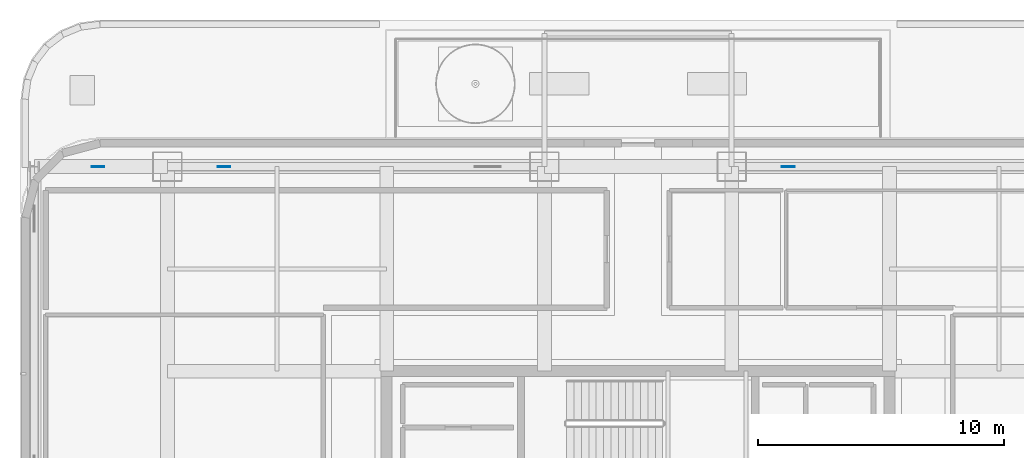
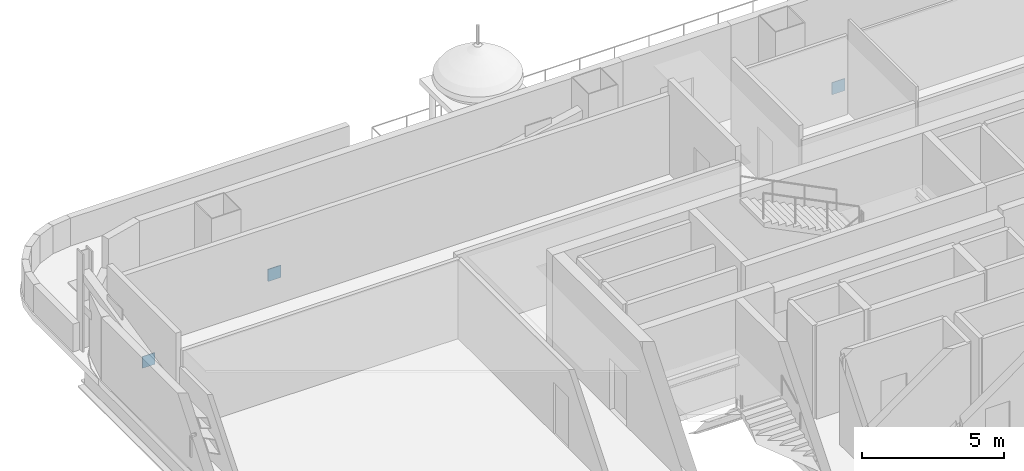
# One storey, part 11 of 28: 3 plates.
"""IFC4 building model written with IfcOpenShell, lengths in metres."""

from ifc_helpers import new_model, si_unit, direction, frame, origin, origin_2d, place, context, subcontext, project, spatial, rectangle, extrude, material, layer, layer_set, type_object, element, save


model = new_model("IFC4")

# Units and contexts
model_context = context("Model", 3, precision=1e-05, world=origin(), true_north=direction((0.0, 1.0)))
body_context = subcontext(model_context, "Body", "Model", "MODEL_VIEW")
ifc_project = project(units=[si_unit("LENGTHUNIT", "METRE"), si_unit("AREAUNIT", "SQUARE_METRE"), si_unit("VOLUMEUNIT", "CUBIC_METRE"), si_unit("PLANEANGLEUNIT", "RADIAN"), si_unit("MASSUNIT", "GRAM", prefix="KILO")], contexts=[model_context])

# Site, building, storey
site_placement = place(None, origin())
site = spatial("IfcSite", under=ifc_project, at=site_placement, CompositionType="ELEMENT")
building_placement = place(site_placement, origin())
building = spatial("IfcBuilding", under=site, at=building_placement, Name="Punatoya Terracotta Tower", CompositionType="ELEMENT")
storey_placement = place(building_placement, frame((0.0, 0.0, 317.39990234375)))
storey = spatial("IfcBuildingStorey", under=building, at=storey_placement, Name="L75", CompositionType="ELEMENT", Elevation=317.39990234375)

# Plates
ifc_material = material(Name="Steel S460", Category="steel")
ifc_layer = layer(ifc_material, 0.031982421875)
ifc_layer_set = layer_set([ifc_layer], Name="Steel S460")
plate_type = type_object("IfcPlateType", Name="PLT-END-32", PredefinedType="USERDEFINED", material=ifc_layer_set)
for number, where, z_axis, x_axis, name in (
    (1, (-16.804931640625, 17.5, 0.237060546875), (0.0, 0.0, 1.0), (1.0, 0.0, 0.0), "L75 Exoskeleton Base Node Plate N1"),
    (2, (6.094970703125, 17.5, 0.237060546875), (0.0, 0.0, 1.0), (1.0, 0.0, 0.0), "L75 Exoskeleton Base Node Plate N3"),
):
    element("IfcPlate", number, at=place(storey_placement, frame(where, z_axis=z_axis, x_axis=x_axis)), inside=storey, type_object=plate_type, Name=name, ObjectType="FLANGE_PLATE", PredefinedType="USERDEFINED", context=body_context, shape_type="SweptSolid", body=[
        extrude(rectangle(XDim=0.52001953125, YDim=0.031982421875, at=origin_2d()), origin(), (0.0, 0.0, 1.0), 0.52001953125),
    ])
plate_placement = place(storey_placement, frame((-21.916015625, 17.5, -1.701904296875), z_axis=(0.0, 0.0, 1.0), x_axis=(1.0, 0.0, 0.0)))
element("IfcPlate", 3, at=plate_placement, inside=storey, type_object=plate_type, Name="L75 Knee-Strut Upper End Cap Plate W2", ObjectType="FLANGE_PLATE", PredefinedType="USERDEFINED", context=body_context, shape_type="SweptSolid", body=[
    extrude(rectangle(XDim=0.5, YDim=0.031982421875, at=origin_2d()), origin(), (0.0, 0.0, 1.0), 0.5),
])

save(model, "model.ifc")
